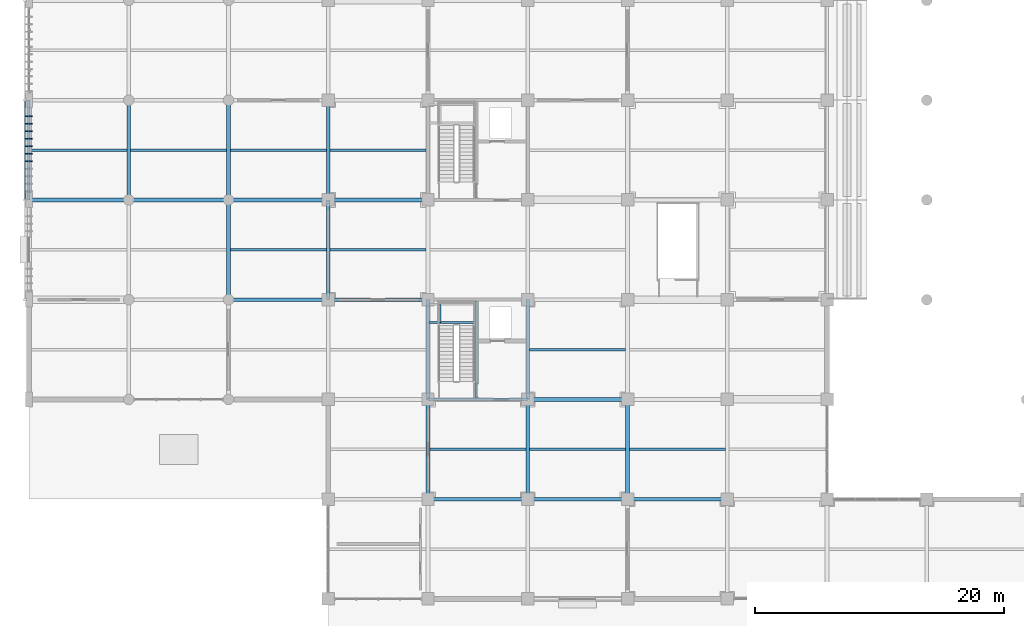
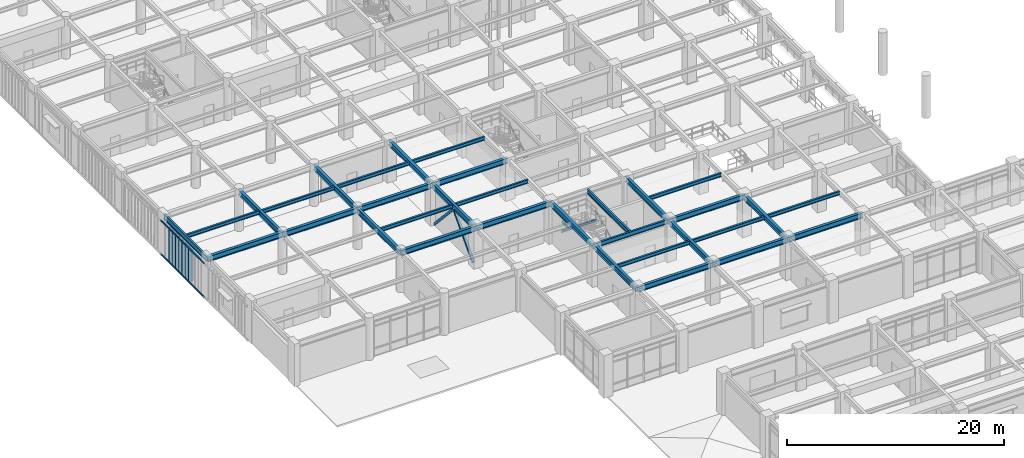
# One storey, part 11 of 117: 35 beams, 11 members.
"""IFC4 building model written with IfcOpenShell, lengths in metres."""

from ifc_helpers import new_model, si_unit, direction, frame, origin, origin_2d, place, context, subcontext, project, spatial, rectangle, hollow_rectangle, i_section, extrude, material, material_profile, profile_set, type_object, element, save


model = new_model("IFC4")

# Units and contexts
model_context = context("Model", 3, precision=1e-05, world=origin(), true_north=direction((0.0, 1.0)))
body_context = subcontext(model_context, "Body", "Model", "MODEL_VIEW")
ifc_project = project(units=[si_unit("LENGTHUNIT", "METRE"), si_unit("AREAUNIT", "SQUARE_METRE"), si_unit("VOLUMEUNIT", "CUBIC_METRE"), si_unit("PLANEANGLEUNIT", "RADIAN"), si_unit("MASSUNIT", "GRAM", prefix="KILO")], contexts=[model_context])

# Site, building, storey
site_placement = place(None, origin())
site = spatial("IfcSite", under=ifc_project, at=site_placement, CompositionType="ELEMENT")
building_placement = place(site_placement, origin())
building = spatial("IfcBuilding", under=site, at=building_placement, Name="Haebicheon Civic Stadium", CompositionType="ELEMENT")
storey_placement = place(building_placement, frame((0.0, 0.0, 4.800048828125)))
storey = spatial("IfcBuildingStorey", under=building, at=storey_placement, Name="L02", CompositionType="ELEMENT", Elevation=4.800048828125)

# Beams
ifc_material_1 = material(Name="Steel SM355 (S355)", Category="steel")
ifc_material_profile_1 = material_profile(ifc_material_1, i_section(OverallWidth=0.199951171875, OverallDepth=0.5, WebThickness=0.010009765625, FlangeThickness=0.01611328125, at=origin_2d()), Name="H-500x200x10x16")
ifc_profile_set_1 = profile_set([ifc_material_profile_1], Name="Steel SM355 (S355)")
beam_type_1 = type_object("IfcBeamType", Name="BM-ST-H500", PredefinedType="BEAM", material=ifc_profile_set_1)
beam_1_placement = place(storey_placement, frame((32.0, 40.0, 4.27001953125), z_axis=(1.0, 0.0, 0.0), x_axis=(0.0, 1.0, 0.0)))
element("IfcBeam", 1, at=beam_1_placement, inside=storey, type_object=beam_type_1, material=ifc_profile_set_1, Name="L02 beam F/5-6", PredefinedType="BEAM", context=body_context, shape_type="SweptSolid", body=[
    extrude(i_section(OverallWidth=0.199951171875, OverallDepth=0.5, WebThickness=0.010009765625, FlangeThickness=0.01611328125, at=origin_2d()), origin(), (0.0, 0.0, 1.0), 8.0),
])
beam_2_placement = place(storey_placement, frame((35.8798828125, 40.10009765625, 4.27001953125), z_axis=(0.0, 1.0, 0.0), x_axis=(-1.0, 0.0, 0.0)))
element("IfcBeam", 2, at=beam_2_placement, inside=storey, type_object=beam_type_1, material=ifc_profile_set_1, Name="L02 KC-01 core dividing wall support beam", PredefinedType="BEAM", context=body_context, shape_type="SweptSolid", body=[
    extrude(i_section(OverallWidth=0.199951171875, OverallDepth=0.5, WebThickness=0.010009765625, FlangeThickness=0.01611328125, at=origin_2d()), origin(), (0.0, 0.0, 1.0), 7.7998046875),
])
ifc_material_2 = material(Name="Steel SM355 (S355)", Category="steel")
ifc_material_profile_2 = material_profile(ifc_material_2, i_section(OverallWidth=0.300048828125, OverallDepth=0.60009765625, WebThickness=0.011962890625, FlangeThickness=0.02001953125, at=origin_2d()), Name="H-600x300x12x20")
ifc_profile_set_2 = profile_set([ifc_material_profile_2], Name="Steel SM355 (S355)")
beam_type_2 = type_object("IfcBeamType", Name="BM-ST-H600A", PredefinedType="BEAM", material=ifc_profile_set_2)
for number, where, z_axis, x_axis, name in (
    (3, (8.0, 56.0, 4.219970703125), (0.0, 1.0, 0.0), (-1.0, 0.0, 0.0), "L02 girder 2/H-J"),
    (4, (16.0, 48.0, 4.219970703125), (0.0, 1.0, 0.0), (-1.0, 0.0, 0.0), "L02 girder 3/G-H"),
    (5, (16.0, 56.0, 4.219970703125), (0.0, 1.0, 0.0), (-1.0, 0.0, 0.0), "L02 girder 3/H-J"),
    (6, (24.0, 48.0, 4.219970703125), (0.0, 1.0, 0.0), (-1.0, 0.0, 0.0), "L02 girder 4/G-H"),
    (7, (24.0, 56.0, 4.219970703125), (0.0, 1.0, 0.0), (-1.0, 0.0, 0.0), "L02 girder 4/H-J"),
    (8, (32.0, 32.0, 4.219970703125), (0.0, 1.0, 0.0), (-1.0, 0.0, 0.0), "L02 girder 5/E-F"),
    (9, (32.0, 40.0, 4.219970703125), (0.0, 1.0, 0.0), (-1.0, 0.0, 0.0), "L02 girder 5/F-G"),
    (10, (40.0, 32.0, 4.219970703125), (0.0, 1.0, 0.0), (-1.0, 0.0, 0.0), "L02 girder 6/E-F"),
    (11, (40.0, 40.0, 4.219970703125), (0.0, 1.0, 0.0), (-1.0, 0.0, 0.0), "L02 girder 6/F-G"),
    (12, (48.0, 32.0, 4.219970703125), (0.0, 1.0, 0.0), (-1.0, 0.0, 0.0), "L02 girder 7/E-F"),
    (13, (0.0, 56.0, 4.280029296875), (1.0, 0.0, 0.0), (0.0, 1.0, 0.0), "L02 beam H/1-2"),
    (14, (8.0, 56.0, 4.219970703125), (1.0, 0.0, 0.0), (0.0, 1.0, 0.0), "L02 beam H/2-3"),
    (15, (16.0, 48.0, 4.219970703125), (1.0, 0.0, 0.0), (0.0, 1.0, 0.0), "L02 beam G/3-4"),
    (16, (16.0, 56.0, 4.219970703125), (1.0, 0.0, 0.0), (0.0, 1.0, 0.0), "L02 beam H/3-4"),
    (17, (24.0, 48.0, 4.219970703125), (1.0, 0.0, 0.0), (0.0, 1.0, 0.0), "L02 beam G/4-5"),
    (18, (24.0, 56.0, 4.219970703125), (1.0, 0.0, 0.0), (0.0, 1.0, 0.0), "L02 beam H/4-5"),
    (19, (32.0, 32.0, 4.219970703125), (1.0, 0.0, 0.0), (0.0, 1.0, 0.0), "L02 beam E/5-6"),
    (20, (40.0, 32.0, 4.219970703125), (1.0, 0.0, 0.0), (0.0, 1.0, 0.0), "L02 beam E/6-7"),
    (21, (40.0, 40.0, 4.219970703125), (1.0, 0.0, 0.0), (0.0, 1.0, 0.0), "L02 beam F/6-7"),
    (22, (48.0, 32.0, 4.219970703125), (1.0, 0.0, 0.0), (0.0, 1.0, 0.0), "L02 beam E/7-8"),
):
    element("IfcBeam", number, at=place(storey_placement, frame(where, z_axis=z_axis, x_axis=x_axis)), inside=storey, type_object=beam_type_2, material=ifc_profile_set_2, Name=name, PredefinedType="BEAM", context=body_context, shape_type="SweptSolid", body=[
        extrude(i_section(OverallWidth=0.300048828125, OverallDepth=0.60009765625, WebThickness=0.011962890625, FlangeThickness=0.02001953125, at=origin_2d()), origin(), (0.0, 0.0, 1.0), 8.0),
    ])

# Members
ifc_material_3 = material(Name="Steel SM490", Category="steel")
ifc_material_profile_3 = material_profile(ifc_material_3, hollow_rectangle(XDim=0.25, YDim=0.25, WallThickness=0.011962890625, at=origin_2d()), Name="RHS-250x250x12.0")
ifc_profile_set_3 = profile_set([ifc_material_profile_3], Name="Steel SM490")
member_type_1 = type_object("IfcMemberType", Name="BRC-RHS250", PredefinedType="BRACE", material=ifc_profile_set_3)
for number, where, z_axis, x_axis, name in (
    (23, (24.0, 48.419921875, 0.0400390625), (0.0, 0.676254882326, 0.736667723014), (-1.0, 0.0, 0.0), "BR250 chevron brace L02 03-06 A"),
    (24, (24.0, 55.580078125, 0.0400390625), (0.0, -0.676254882326, 0.736667723014), (1.0, 0.0, 0.0), "BR250 chevron brace L02 03-06 B"),
):
    element("IfcMember", number, at=place(storey_placement, frame(where, z_axis=z_axis, x_axis=x_axis)), inside=storey, type_object=member_type_1, material=ifc_profile_set_3, Name=name, PredefinedType="BRACE", context=body_context, shape_type="SweptSolid", body=[
        extrude(hollow_rectangle(XDim=0.25, YDim=0.25, WallThickness=0.011962890625, at=origin_2d()), origin(), (0.0, 0.0, 1.0), 5.2939453125),
    ])

# Beams
ifc_material_4 = material(Name="Steel SM355 (S355)", Category="steel")
ifc_material_profile_4 = material_profile(ifc_material_4, i_section(OverallWidth=0.125, OverallDepth=0.25, WebThickness=0.006103515625, FlangeThickness=0.009033203125, at=origin_2d()), Name="H-250x125x6x9")
ifc_profile_set_4 = profile_set([ifc_material_profile_4], Name="Steel SM355 (S355)")
beam_type_3 = type_object("IfcBeamType", Name="JST-ST-H250", PredefinedType="JOIST", material=ifc_profile_set_4)
beam_3_placement = place(storey_placement, frame((32.080078125, 46.169921875, 2.072021484375), z_axis=(1.0, 0.0, 0.0), x_axis=(0.0, 1.0, 0.0)))
element("IfcBeam", 25, at=beam_3_placement, inside=storey, type_object=beam_type_3, material=ifc_profile_set_4, Name="KC-01 L02 stair half-landing front trimmer beam", PredefinedType="JOIST", context=body_context, shape_type="SweptSolid", body=[
    extrude(i_section(OverallWidth=0.125, OverallDepth=0.25, WebThickness=0.006103515625, FlangeThickness=0.009033203125, at=origin_2d()), origin(), (0.0, 0.0, 1.0), 3.719970703125),
])
beam_4_placement = place(storey_placement, frame((32.9599609375, 46.169921875, 2.072021484375), z_axis=(0.0, 1.0, 0.0), x_axis=(-1.0, 0.0, 0.0)))
element("IfcBeam", 26, at=beam_4_placement, inside=storey, type_object=beam_type_3, material=ifc_profile_set_4, Name="KC-01 L02 stair half-landing transverse tie beam", PredefinedType="JOIST", context=body_context, shape_type="SweptSolid", body=[
    extrude(i_section(OverallWidth=0.125, OverallDepth=0.25, WebThickness=0.006103515625, FlangeThickness=0.009033203125, at=origin_2d()), origin(), (0.0, 0.0, 1.0), 1.4501953125),
])
ifc_material_5 = material(Name="Steel SM355 (S355)", Category="steel")
ifc_material_profile_5 = material_profile(ifc_material_5, i_section(OverallWidth=0.199951171875, OverallDepth=0.39990234375, WebThickness=0.008056640625, FlangeThickness=0.012939453125, at=origin_2d()), Name="H-400x200x8x13")
ifc_profile_set_5 = profile_set([ifc_material_profile_5], Name="Steel SM355 (S355)")
beam_type_4 = type_object("IfcBeamType", Name="JST-ST-H400", PredefinedType="JOIST", material=ifc_profile_set_5)
beam_5_placement = place(storey_placement, frame((0.10009765625, 60.0, 4.3798828125), z_axis=(1.0, 0.0, 0.0), x_axis=(0.0, 1.0, 0.0)))
element("IfcBeam", 27, at=beam_5_placement, inside=storey, type_object=beam_type_4, material=ifc_profile_set_5, Name="L02 secondary joist 00-07", PredefinedType="JOIST", context=body_context, shape_type="SweptSolid", body=[
    extrude(i_section(OverallWidth=0.199951171875, OverallDepth=0.39990234375, WebThickness=0.008056640625, FlangeThickness=0.012939453125, at=origin_2d()), origin(), (0.0, 0.0, 1.0), 7.75),
])
for number, where, z_axis, x_axis, name in (
    (28, (8.14990234375, 60.0, 4.320068359375), (1.0, 0.0, 0.0), (0.0, 1.0, 0.0), "L02 secondary joist 01-07"),
    (29, (16.14990234375, 52.0, 4.320068359375), (1.0, 0.0, 0.0), (0.0, 1.0, 0.0), "L02 secondary joist 02-06"),
    (30, (16.14990234375, 60.0, 4.320068359375), (1.0, 0.0, 0.0), (0.0, 1.0, 0.0), "L02 secondary joist 02-07"),
    (31, (24.14990234375, 52.0, 4.320068359375), (1.0, 0.0, 0.0), (0.0, 1.0, 0.0), "L02 secondary joist 03-06"),
    (32, (24.14990234375, 60.0, 4.320068359375), (1.0, 0.0, 0.0), (0.0, 1.0, 0.0), "L02 secondary joist 03-07"),
    (33, (32.14990234375, 36.0, 4.320068359375), (1.0, 0.0, 0.0), (0.0, 1.0, 0.0), "L02 secondary joist 04-04"),
    (34, (40.14990234375, 36.0, 4.320068359375), (1.0, 0.0, 0.0), (0.0, 1.0, 0.0), "L02 secondary joist 05-04"),
    (35, (40.14990234375, 44.0, 4.320068359375), (1.0, 0.0, 0.0), (0.0, 1.0, 0.0), "L02 secondary joist 05-05"),
    (36, (48.14990234375, 36.0, 4.320068359375), (1.0, 0.0, 0.0), (0.0, 1.0, 0.0), "L02 secondary joist 06-04"),
):
    element("IfcBeam", number, at=place(storey_placement, frame(where, z_axis=z_axis, x_axis=x_axis)), inside=storey, type_object=beam_type_4, material=ifc_profile_set_5, Name=name, PredefinedType="JOIST", context=body_context, shape_type="SweptSolid", body=[
        extrude(i_section(OverallWidth=0.199951171875, OverallDepth=0.39990234375, WebThickness=0.008056640625, FlangeThickness=0.012939453125, at=origin_2d()), origin(), (0.0, 0.0, 1.0), 7.7001953125),
    ])

# Members
ifc_material_6 = material(Name="Acetylated timber GL28h", Category="wood")
ifc_material_profile_6 = material_profile(ifc_material_6, rectangle(XDim=0.080078125, YDim=0.52001953125, at=origin_2d()), Name="TMB-LOUV-80x520")
ifc_profile_set_6 = profile_set([ifc_material_profile_6], Name="Acetylated timber GL28h")
member_type_2 = type_object("IfcMemberType", Name="LVR-TIM-520x80", PredefinedType="PLATE", material=ifc_profile_set_6)
for number, where, z_axis, x_axis, name in (
    (37, (0.02001953125, 59.10009765625, -0.1201171875), (0.0, 0.0, 1.0), (0.0, 1.0, 0.0), "SCR-BOUL L02 acetylated timber storm louvre fin 2.5"),
    (38, (0.02001953125, 59.699951171875, -0.1201171875), (0.0, 0.0, 1.0), (0.0, 1.0, 0.0), "SCR-BOUL L02 acetylated timber storm louvre fin 2.6"),
    (39, (0.02001953125, 60.300048828125, -0.1201171875), (0.0, 0.0, 1.0), (0.0, 1.0, 0.0), "SCR-BOUL L02 acetylated timber storm louvre fin 2.7"),
    (40, (0.02001953125, 60.89990234375, -0.1201171875), (0.0, 0.0, 1.0), (0.0, 1.0, 0.0), "SCR-BOUL L02 acetylated timber storm louvre fin 2.8"),
    (41, (0.02001953125, 61.5, -0.1201171875), (0.0, 0.0, 1.0), (0.0, 1.0, 0.0), "SCR-BOUL L02 acetylated timber storm louvre fin 2.9"),
    (42, (0.02001953125, 62.10009765625, -0.1201171875), (0.0, 0.0, 1.0), (0.0, 1.0, 0.0), "SCR-BOUL L02 acetylated timber storm louvre fin 2.10"),
    (43, (0.02001953125, 62.699951171875, -0.1201171875), (0.0, 0.0, 1.0), (0.0, 1.0, 0.0), "SCR-BOUL L02 acetylated timber storm louvre fin 2.11"),
):
    element("IfcMember", number, at=place(storey_placement, frame(where, z_axis=z_axis, x_axis=x_axis)), inside=storey, type_object=member_type_2, material=ifc_profile_set_6, Name=name, PredefinedType="PLATE", context=body_context, shape_type="SweptSolid", body=[
        extrude(rectangle(XDim=0.080078125, YDim=0.52001953125, at=origin_2d()), origin(), (0.0, 0.0, 1.0), 3.969970703125),
    ])

# Beam
ifc_material_7 = material(Name="Steel SM355 (S355)", Category="steel")
ifc_material_profile_7 = material_profile(ifc_material_7, i_section(OverallWidth=0.199951171875, OverallDepth=0.60009765625, WebThickness=0.010986328125, FlangeThickness=0.01708984375, at=origin_2d()), Name="H-600x200x11x17")
ifc_profile_set_7 = profile_set([ifc_material_profile_7], Name="Steel SM355 (S355)")
beam_type_5 = type_object("IfcBeamType", Name="SPD-ST-H600B", PredefinedType="SPANDREL", material=ifc_profile_set_7)
beam_6_placement = place(storey_placement, frame((0.0, 56.0, 4.280029296875), z_axis=(0.0, 1.0, 0.0), x_axis=(-1.0, 0.0, 0.0)))
element("IfcBeam", 44, at=beam_6_placement, inside=storey, type_object=beam_type_5, material=ifc_profile_set_7, Name="L02 girder 1/H-J", PredefinedType="SPANDREL", context=body_context, shape_type="SweptSolid", body=[
    extrude(i_section(OverallWidth=0.199951171875, OverallDepth=0.60009765625, WebThickness=0.010986328125, FlangeThickness=0.01708984375, at=origin_2d()), origin(), (0.0, 0.0, 1.0), 8.0),
])

# Members
ifc_material_8 = material(Name="Steel SM355 (S355)", Category="steel")
ifc_material_profile_8 = material_profile(ifc_material_8, hollow_rectangle(XDim=0.10009765625, YDim=0.14990234375, WallThickness=0.006103515625, at=origin_2d()), Name="RHS-150x100x6.0")
ifc_profile_set_8 = profile_set([ifc_material_profile_8], Name="Steel SM355 (S355)")
member_type_3 = type_object("IfcMemberType", Name="SUB-RHS150", PredefinedType="STRINGER", material=ifc_profile_set_8)
for number, where, z_axis, x_axis, name in (
    (45, (-0.31494140625, 56.0, 0.06005859375), (0.0, 1.0, 0.0), (-1.0, 0.0, 0.0), "SCR-BOUL L02 storm-louvre bottom carrier rail 2"),
    (46, (-0.31494140625, 56.0, 3.849853515625), (0.0, 1.0, 0.0), (-1.0, 0.0, 0.0), "SCR-BOUL L02 storm-louvre top carrier rail 2"),
):
    element("IfcMember", number, at=place(storey_placement, frame(where, z_axis=z_axis, x_axis=x_axis)), inside=storey, type_object=member_type_3, material=ifc_profile_set_8, Name=name, PredefinedType="STRINGER", context=body_context, shape_type="SweptSolid", body=[
        extrude(hollow_rectangle(XDim=0.10009765625, YDim=0.14990234375, WallThickness=0.006103515625, at=origin_2d()), origin(), (0.0, 0.0, 1.0), 8.0),
    ])

save(model, "model.ifc")
